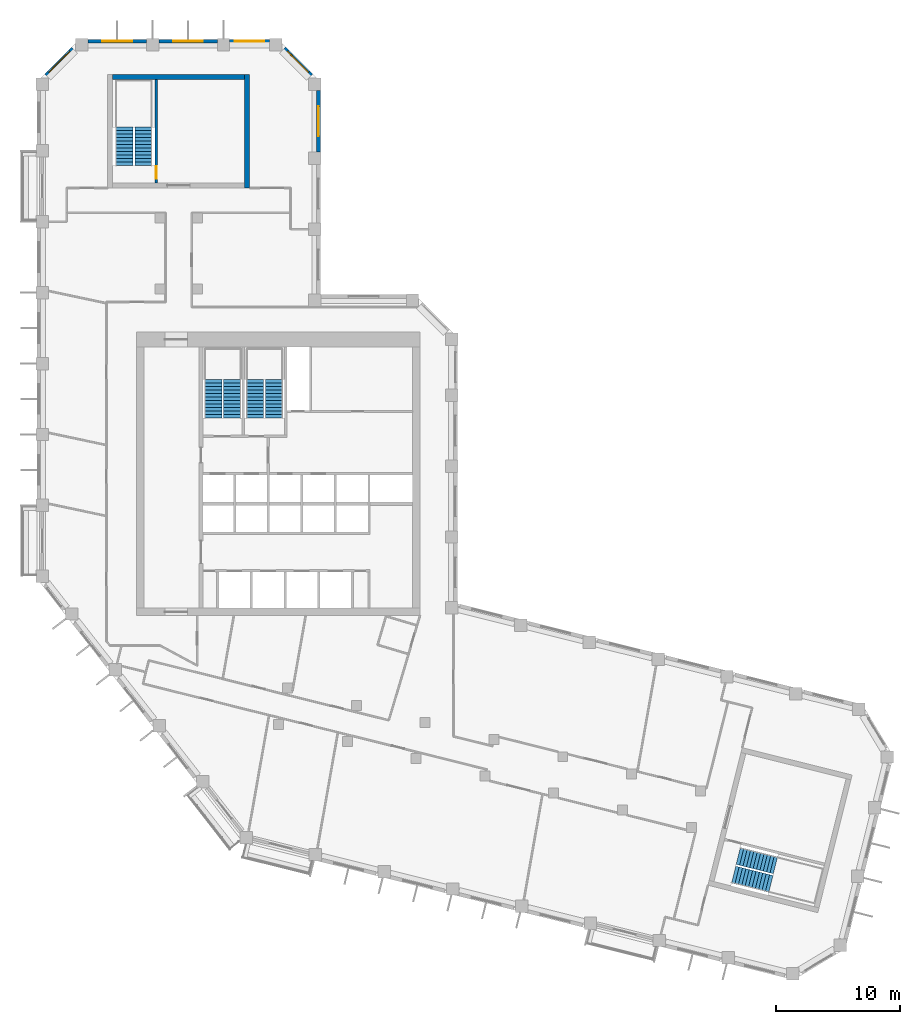
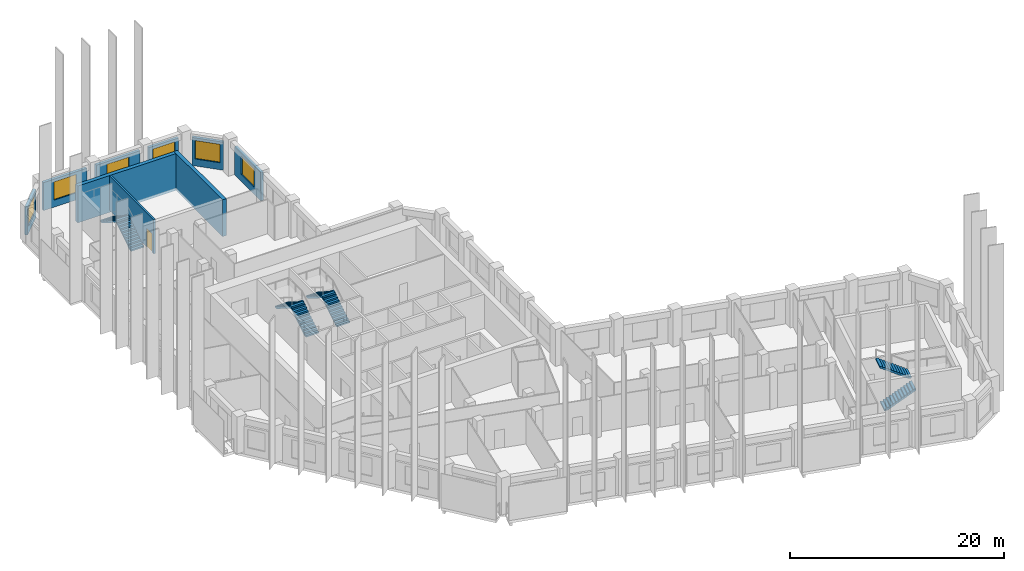
# One storey, part 8 of 9: 9 walls, 8 stair flights, 6 windows, 1 door, 7 openings, 4 elements without a shape of their own.
"""IFC4 building model written with IfcOpenShell, lengths in metres."""

from ifc_helpers import new_model, si_unit, direction, frame, frame_2d, origin, place, context, subcontext, project, spatial, polyline, rectangle, outline, extrude, material, layer, layer_set, type_object, element, fill, aggregate, save


model = new_model("IFC4")

# Units and contexts
model_context = context("Model", 3, precision=1e-05, world=origin(), true_north=direction((0.0, 1.0)))
body_context = subcontext(model_context, "Body", "Model", "MODEL_VIEW")
ifc_project = project(units=[si_unit("LENGTHUNIT", "METRE"), si_unit("AREAUNIT", "SQUARE_METRE"), si_unit("VOLUMEUNIT", "CUBIC_METRE"), si_unit("PLANEANGLEUNIT", "RADIAN"), si_unit("MASSUNIT", "GRAM", prefix="KILO")], contexts=[model_context])

# Site, building, storey
site_placement = place(None, origin())
site = spatial("IfcSite", under=ifc_project, at=site_placement, CompositionType="ELEMENT")
building_placement = place(site_placement, origin())
building = spatial("IfcBuilding", under=site, at=building_placement, Name="Meshkara Civic Tower", CompositionType="ELEMENT")
storey_placement = place(building_placement, frame((0.0, 0.0, 289.800048828125)))
storey = spatial("IfcBuildingStorey", under=building, at=storey_placement, Name="L66", CompositionType="ELEMENT", Elevation=289.800048828125)

# Wall, opening, window
ifc_material_1 = material(Name="Insulated infill panel with bronze anodised aluminium cladding", Category="aluminium")
ifc_layer_1 = layer(ifc_material_1, 0.300048828125)
ifc_layer_set_1 = layer_set([ifc_layer_1], Name="EXTERNAL INFILL WALL 300")
wall_type_1 = type_object("IfcWallType", Name="EXTERNAL INFILL WALL 300", PredefinedType="SOLIDWALL", material=ifc_layer_set_1)
wall_1_placement = place(storey_placement, frame((22.64990234375, 51.35009765625, 0.0), z_axis=(0.0, 0.0, 1.0), x_axis=(0.0, 1.0, 0.0)))
wall_1 = element("IfcWall", 1, at=wall_1_placement, inside=storey, type_object=wall_type_1, Name="External wall", PredefinedType="SOLIDWALL", context=body_context, shape_type="SweptSolid", body=[
    extrude(rectangle(XDim=4.9638671875, YDim=0.300048828125, at=frame_2d((2.48193359375, 0.0))), origin(), (0.0, 0.0, 1.0), 3.199951171875),
])
opening_1_placement = place(wall_1_placement, frame((1.281982421875, 0.0, 0.800048828125)))
opening_1 = element("IfcOpeningElement", 2, at=opening_1_placement, cuts=wall_1, Name="Opening W7", PredefinedType="OPENING", context=body_context, shape_type="SweptSolid", body=[
    extrude(rectangle(XDim=2.39990234375, YDim=2.10009765625, at=frame_2d((1.199951171875, 1.050048828125))), frame((0.0, 0.159912109375, 0.0), z_axis=(0.0, -1.0, 0.0), x_axis=(1.0, 0.0, 0.0)), (0.0, 0.0, 1.0), 0.320068359375),
])
ifc_material_2 = material(Name="Tinted double glazing", Category="glass")
window_type = type_object("IfcWindowType", Name="WINDOW 2400x2100", PartitioningType="DOUBLE_PANEL_VERTICAL", PredefinedType="WINDOW", material=ifc_material_2)
window_1_placement = place(opening_1_placement, origin())
window_1 = element("IfcWindow", 3, at=window_1_placement, inside=storey, type_object=window_type, Name="Window", OverallHeight=2.10009765625, OverallWidth=2.39990234375, PartitioningType="DOUBLE_PANEL_VERTICAL", PredefinedType="WINDOW", context=body_context, shape_type="SweptSolid", body=[
    extrude(rectangle(XDim=2.39990234375, YDim=2.10009765625, at=frame_2d((1.199951171875, 1.050048828125))), frame((0.0, 0.030029296875, 0.0), z_axis=(0.0, -1.0, 0.0), x_axis=(1.0, 0.0, 0.0)), (0.0, 0.0, 1.0), 0.06005859375),
])
fill(opening_1, window_1)

wall_2_placement = place(storey_placement, frame((22.06201171875, 57.52587890625, 0.0), z_axis=(0.0, 0.0, 1.0), x_axis=(-0.707106781187, 0.707106781187, 0.0)))
wall_2 = element("IfcWall", 4, at=wall_2_placement, inside=storey, type_object=wall_type_1, Name="External wall", PredefinedType="SOLIDWALL", context=body_context, shape_type="SweptSolid", body=[
    extrude(rectangle(XDim=3.049072265625, YDim=0.300048828125, at=frame_2d((1.5244140625, 0.0))), origin(), (0.0, 0.0, 1.0), 3.199951171875),
])
opening_2_placement = place(wall_2_placement, frame((0.324951171875, 0.0, 0.800048828125)))
opening_2 = element("IfcOpeningElement", 5, at=opening_2_placement, cuts=wall_2, Name="Opening W7", PredefinedType="OPENING", context=body_context, shape_type="SweptSolid", body=[
    extrude(rectangle(XDim=2.39990234375, YDim=2.10009765625, at=frame_2d((1.199951171875, 1.050048828125))), frame((0.0, 0.159912109375, 0.0), z_axis=(0.0, -1.0, 0.0), x_axis=(1.0, 0.0, 0.0)), (0.0, 0.0, 1.0), 0.320068359375),
])
window_2_placement = place(opening_2_placement, origin())
window_2 = element("IfcWindow", 6, at=window_2_placement, inside=storey, type_object=window_type, Name="Window", OverallHeight=2.10009765625, OverallWidth=2.39990234375, PartitioningType="DOUBLE_PANEL_VERTICAL", PredefinedType="WINDOW", context=body_context, shape_type="SweptSolid", body=[
    extrude(rectangle(XDim=2.39990234375, YDim=2.10009765625, at=frame_2d((1.199951171875, 1.050048828125))), frame((0.0, 0.030029296875, 0.0), z_axis=(0.0, -1.0, 0.0), x_axis=(1.0, 0.0, 0.0)), (0.0, 0.0, 1.0), 0.06005859375),
])
fill(opening_2, window_2)

wall_3_placement = place(storey_placement, frame((18.694091796875, 60.27001953125, 0.0), z_axis=(0.0, 0.0, 1.0), x_axis=(-1.0, 0.0, 0.0)))
wall_3 = element("IfcWall", 7, at=wall_3_placement, inside=storey, type_object=wall_type_1, Name="External wall", PredefinedType="SOLIDWALL", context=body_context, shape_type="SweptSolid", body=[
    extrude(rectangle(XDim=3.18798828125, YDim=0.300048828125, at=frame_2d((1.593994140625, 0.0))), origin(), (0.0, 0.0, 1.0), 3.199951171875),
])
opening_3_placement = place(wall_3_placement, frame((0.39404296875, 0.0, 0.800048828125)))
opening_3 = element("IfcOpeningElement", 8, at=opening_3_placement, cuts=wall_3, Name="Opening W7", PredefinedType="OPENING", context=body_context, shape_type="SweptSolid", body=[
    extrude(rectangle(XDim=2.39990234375, YDim=2.10009765625, at=frame_2d((1.199951171875, 1.050048828125))), frame((0.0, 0.159912109375, 0.0), z_axis=(0.0, -1.0, 0.0), x_axis=(1.0, 0.0, 0.0)), (0.0, 0.0, 1.0), 0.320068359375),
])
window_3_placement = place(opening_3_placement, origin())
window_3 = element("IfcWindow", 9, at=window_3_placement, inside=storey, type_object=window_type, Name="Window", OverallHeight=2.10009765625, OverallWidth=2.39990234375, PartitioningType="DOUBLE_PANEL_VERTICAL", PredefinedType="WINDOW", context=body_context, shape_type="SweptSolid", body=[
    extrude(rectangle(XDim=2.39990234375, YDim=2.10009765625, at=frame_2d((1.199951171875, 1.050048828125))), frame((0.0, 0.030029296875, 0.0), z_axis=(0.0, -1.0, 0.0), x_axis=(1.0, 0.0, 0.0)), (0.0, 0.0, 1.0), 0.06005859375),
])
fill(opening_3, window_3)

wall_4_placement = place(storey_placement, frame((14.506103515625, 60.27001953125, 0.0), z_axis=(0.0, 0.0, 1.0), x_axis=(-1.0, 0.0, 0.0)))
wall_4 = element("IfcWall", 10, at=wall_4_placement, inside=storey, type_object=wall_type_1, Name="External wall", PredefinedType="SOLIDWALL", context=body_context, shape_type="SweptSolid", body=[
    extrude(rectangle(XDim=4.7001953125, YDim=0.300048828125, at=frame_2d((2.35009765625, 0.0))), origin(), (0.0, 0.0, 1.0), 3.199951171875),
])
opening_4_placement = place(wall_4_placement, frame((1.14990234375, 0.0, 0.800048828125)))
opening_4 = element("IfcOpeningElement", 11, at=opening_4_placement, cuts=wall_4, Name="Opening W7", PredefinedType="OPENING", context=body_context, shape_type="SweptSolid", body=[
    extrude(rectangle(XDim=2.39990234375, YDim=2.10009765625, at=frame_2d((1.199951171875, 1.050048828125))), frame((0.0, 0.159912109375, 0.0), z_axis=(0.0, -1.0, 0.0), x_axis=(1.0, 0.0, 0.0)), (0.0, 0.0, 1.0), 0.320068359375),
])
window_4_placement = place(opening_4_placement, origin())
window_4 = element("IfcWindow", 12, at=window_4_placement, inside=storey, type_object=window_type, Name="Window", OverallHeight=2.10009765625, OverallWidth=2.39990234375, PartitioningType="DOUBLE_PANEL_VERTICAL", PredefinedType="WINDOW", context=body_context, shape_type="SweptSolid", body=[
    extrude(rectangle(XDim=2.39990234375, YDim=2.10009765625, at=frame_2d((1.199951171875, 1.050048828125))), frame((0.0, 0.030029296875, 0.0), z_axis=(0.0, -1.0, 0.0), x_axis=(1.0, 0.0, 0.0)), (0.0, 0.0, 1.0), 0.06005859375),
])
fill(opening_4, window_4)

wall_5_placement = place(storey_placement, frame((8.805908203125, 60.27001953125, 0.0), z_axis=(0.0, 0.0, 1.0), x_axis=(-1.0, 0.0, 0.0)))
wall_5 = element("IfcWall", 13, at=wall_5_placement, inside=storey, type_object=wall_type_1, Name="External wall", PredefinedType="SOLIDWALL", context=body_context, shape_type="SweptSolid", body=[
    extrude(rectangle(XDim=4.699951171875, YDim=0.300048828125, at=frame_2d((2.35009765625, 0.0))), origin(), (0.0, 0.0, 1.0), 3.199951171875),
])
opening_5_placement = place(wall_5_placement, frame((1.14990234375, 0.0, 0.800048828125)))
opening_5 = element("IfcOpeningElement", 14, at=opening_5_placement, cuts=wall_5, Name="Opening W7", PredefinedType="OPENING", context=body_context, shape_type="SweptSolid", body=[
    extrude(rectangle(XDim=2.39990234375, YDim=2.10009765625, at=frame_2d((1.199951171875, 1.050048828125))), frame((0.0, 0.159912109375, 0.0), z_axis=(0.0, -1.0, 0.0), x_axis=(1.0, 0.0, 0.0)), (0.0, 0.0, 1.0), 0.320068359375),
])
window_5_placement = place(opening_5_placement, origin())
window_5 = element("IfcWindow", 15, at=window_5_placement, inside=storey, type_object=window_type, Name="Window", OverallHeight=2.10009765625, OverallWidth=2.39990234375, PartitioningType="DOUBLE_PANEL_VERTICAL", PredefinedType="WINDOW", context=body_context, shape_type="SweptSolid", body=[
    extrude(rectangle(XDim=2.39990234375, YDim=2.10009765625, at=frame_2d((1.199951171875, 1.050048828125))), frame((0.0, 0.030029296875, 0.0), z_axis=(0.0, -1.0, 0.0), x_axis=(1.0, 0.0, 0.0)), (0.0, 0.0, 1.0), 0.06005859375),
])
fill(opening_5, window_5)

wall_6_placement = place(storey_placement, frame((2.89404296875, 59.681884765625, 0.0), z_axis=(0.0, 0.0, 1.0), x_axis=(-0.707106781187, -0.707106781187, 0.0)))
wall_6 = element("IfcWall", 16, at=wall_6_placement, inside=storey, type_object=wall_type_1, Name="External wall", PredefinedType="SOLIDWALL", context=body_context, shape_type="SweptSolid", body=[
    extrude(rectangle(XDim=3.049072265625, YDim=0.300048828125, at=frame_2d((1.5244140625, 0.0))), origin(), (0.0, 0.0, 1.0), 3.199951171875),
])
opening_6_placement = place(wall_6_placement, frame((0.324951171875, 0.0, 0.800048828125)))
opening_6 = element("IfcOpeningElement", 17, at=opening_6_placement, cuts=wall_6, Name="Opening W7", PredefinedType="OPENING", context=body_context, shape_type="SweptSolid", body=[
    extrude(rectangle(XDim=2.39990234375, YDim=2.10009765625, at=frame_2d((1.199951171875, 1.050048828125))), frame((0.0, 0.159912109375, 0.0), z_axis=(0.0, -1.0, 0.0), x_axis=(1.0, 0.0, 0.0)), (0.0, 0.0, 1.0), 0.320068359375),
])
window_6_placement = place(opening_6_placement, origin())
window_6 = element("IfcWindow", 18, at=window_6_placement, inside=storey, type_object=window_type, Name="Window", OverallHeight=2.10009765625, OverallWidth=2.39990234375, PartitioningType="DOUBLE_PANEL_VERTICAL", PredefinedType="WINDOW", context=body_context, shape_type="SweptSolid", body=[
    extrude(rectangle(XDim=2.39990234375, YDim=2.10009765625, at=frame_2d((1.199951171875, 1.050048828125))), frame((0.0, 0.030029296875, 0.0), z_axis=(0.0, -1.0, 0.0), x_axis=(1.0, 0.0, 0.0)), (0.0, 0.0, 1.0), 0.06005859375),
])
fill(opening_6, window_6)

# Walls
ifc_material_3 = material(Name="Concrete C60", Category="concrete")
ifc_layer_2 = layer(ifc_material_3, 0.39990234375)
ifc_layer_set_2 = layer_set([ifc_layer_2], Name="End core ring wall 400 C60")
wall_type_2 = type_object("IfcWallType", Name="End core ring wall 400 C60", PredefinedType="SHEAR", material=ifc_layer_set_2)
wall_7_placement = place(storey_placement, frame((16.89990234375, 48.469970703125, -0.300048828125), z_axis=(0.0, 0.0, 1.0), x_axis=(0.0, 1.0, 0.0)))
element("IfcWall", 19, at=wall_7_placement, inside=storey, type_object=wall_type_2, Name="L66-C027", PredefinedType="SHEAR", context=body_context, shape_type="SweptSolid", body=[
    extrude(rectangle(XDim=9.10009765625, YDim=0.39990234375, at=frame_2d((4.550048828125, 0.0))), origin(), (0.0, 0.0, 1.0), 4.199951171875),
])
wall_8_placement = place(storey_placement, frame((6.10009765625, 57.3701171875, -0.300048828125), z_axis=(0.0, 0.0, 1.0), x_axis=(1.0, 0.0, 0.0)))
element("IfcWall", 20, at=wall_8_placement, inside=storey, type_object=wall_type_2, Name="L66-C029", PredefinedType="SHEAR", context=body_context, shape_type="SweptSolid", body=[
    extrude(rectangle(XDim=10.599853515625, YDim=0.39990234375, at=frame_2d((5.2998046875, 0.0))), origin(), (0.0, 0.0, 1.0), 4.199951171875),
])

# Wall, opening, door
ifc_material_4 = material(Name="Concrete C40/50", Category="concrete")
ifc_layer_3 = layer(ifc_material_4, 0.199951171875)
ifc_layer_set_3 = layer_set([ifc_layer_3], Name="Stair enclosure wall 200 C40/50")
wall_type_3 = type_object("IfcWallType", Name="Stair enclosure wall 200 C40/50", PredefinedType="SOLIDWALL", material=ifc_layer_set_3)
wall_9_placement = place(storey_placement, frame((9.60009765625, 48.8701171875, 0.0), z_axis=(0.0, 0.0, 1.0), x_axis=(0.0, 1.0, 0.0)))
wall_9 = element("IfcWall", 21, at=wall_9_placement, inside=storey, type_object=wall_type_3, Name="L66-C030", PredefinedType="SOLIDWALL", context=body_context, shape_type="SweptSolid", body=[
    extrude(rectangle(XDim=8.2998046875, YDim=0.199951171875, at=frame_2d((4.14990234375, 0.0))), origin(), (0.0, 0.0, 1.0), 3.89990234375),
])
opening_7_placement = place(wall_9_placement, frame((0.35009765625, 0.0, 0.0)))
opening_7 = element("IfcOpeningElement", 22, at=opening_7_placement, cuts=wall_9, Name="Opening L66-K101", PredefinedType="OPENING", context=body_context, shape_type="SweptSolid", body=[
    extrude(rectangle(XDim=1.0, YDim=2.10009765625, at=frame_2d((0.5, 1.050048828125))), frame((0.0, 0.10986328125, 0.0), z_axis=(0.0, -1.0, 0.0), x_axis=(1.0, 0.0, 0.0)), (0.0, 0.0, 1.0), 0.219970703125),
])
ifc_material_5 = material(Name="Fire-rated door leaf in steel frame", Category="steel")
door_type = type_object("IfcDoorType", Name="Stair door 1000 EI 120", OperationType="SINGLE_SWING_LEFT", PredefinedType="DOOR", material=ifc_material_5)
door_placement = place(opening_7_placement, origin())
door = element("IfcDoor", 23, at=door_placement, inside=storey, type_object=door_type, Name="L66-K101", OperationType="SINGLE_SWING_RIGHT", OverallHeight=2.10009765625, OverallWidth=1.0, PredefinedType="DOOR", context=body_context, shape_type="SweptSolid", body=[
    extrude(rectangle(XDim=1.0, YDim=2.10009765625, at=frame_2d((0.5, 1.050048828125))), frame((0.0, 0.02490234375, 0.0), z_axis=(0.0, -1.0, 0.0), x_axis=(1.0, 0.0, 0.0)), (0.0, 0.0, 1.0), 0.050048828125),
])
fill(opening_7, door)

# Stair, stair flights
ifc_material_6 = material(Name="Precast concrete C40/50", Category="concrete")
stair_type = type_object("IfcStairType", Name="Exit stair half-turn 24 risers precast", PredefinedType="HALF_TURN_STAIR", material=ifc_material_6)
stair_1_placement = place(storey_placement, origin())
stair_1 = element("IfcStair", 24, at=stair_1_placement, inside=storey, type_object=stair_type, Name="L66 exit stair 1", PredefinedType="HALF_TURN_STAIR")
ifc_material_7 = material(Name="Precast concrete C40/50", Category="concrete")
stair_flight_type = type_object("IfcStairFlightType", Name="Exit stair flight 12 risers precast", PredefinedType="STRAIGHT", material=ifc_material_7)
stair_flight_1_placement = place(storey_placement, frame((15.72509765625, 30.0, 0.0), z_axis=(0.0, 0.0, 1.0), x_axis=(0.0, 1.0, 0.0)))
stair_flight_1 = element("IfcStairFlight", 25, at=stair_flight_1_placement, type_object=stair_flight_type, Name="ST1 flight 1", NumberOfRisers=12, NumberOfTreads=11, PredefinedType="STRAIGHT", RiserHeight=0.175, TreadLength=0.28, context=body_context, shape_type="SweptSolid", body=[
    extrude(outline(polyline([(0.0, 0.0), (0.0, 0.175048828125), (0.280029296875, 0.175048828125), (0.280029296875, 0.35009765625), (0.56005859375, 0.35009765625), (0.56005859375, 0.52490234375), (0.840087890625, 0.52490234375), (0.840087890625, 0.699951171875), (1.1201171875, 0.699951171875), (1.1201171875, 0.875), (1.39990234375, 0.875), (1.39990234375, 1.050048828125), (1.679931640625, 1.050048828125), (1.679931640625, 1.22509765625), (1.9599609375, 1.22509765625), (1.9599609375, 1.39990234375), (2.239990234375, 1.39990234375), (2.239990234375, 1.574951171875), (2.52001953125, 1.574951171875), (2.52001953125, 1.75), (2.800048828125, 1.75), (2.800048828125, 1.925048828125), (3.080078125, 1.925048828125), (3.080078125, 2.10009765625), (3.080078125, 1.748291015625), (0.28271484375, 0.0), (0.0, 0.0)])), frame((0.0, 0.699951171875, 0.0), z_axis=(0.0, -1.0, 0.0), x_axis=(1.0, 0.0, 0.0)), (0.0, 0.0, 1.0), 1.39990234375),
])
stair_flight_2_placement = place(storey_placement, frame((14.175048828125, 33.080078125, 2.099853515625), z_axis=(0.0, 0.0, 1.0), x_axis=(0.0, -1.0, 0.0)))
stair_flight_2 = element("IfcStairFlight", 26, at=stair_flight_2_placement, type_object=stair_flight_type, Name="ST1 flight 2", NumberOfRisers=12, NumberOfTreads=11, PredefinedType="STRAIGHT", RiserHeight=0.175, TreadLength=0.28, context=body_context, shape_type="SweptSolid", body=[
    extrude(outline(polyline([(0.0, 0.0), (0.0, 0.175048828125), (0.280029296875, 0.175048828125), (0.280029296875, 0.35009765625), (0.56005859375, 0.35009765625), (0.56005859375, 0.52490234375), (0.840087890625, 0.52490234375), (0.840087890625, 0.699951171875), (1.1201171875, 0.699951171875), (1.1201171875, 0.875), (1.39990234375, 0.875), (1.39990234375, 1.050048828125), (1.679931640625, 1.050048828125), (1.679931640625, 1.22509765625), (1.9599609375, 1.22509765625), (1.9599609375, 1.39990234375), (2.239990234375, 1.39990234375), (2.239990234375, 1.574951171875), (2.52001953125, 1.574951171875), (2.52001953125, 1.75), (2.800048828125, 1.75), (2.800048828125, 1.925048828125), (3.080078125, 1.925048828125), (3.080078125, 2.10009765625), (3.080078125, 1.748291015625), (0.28271484375, 0.0), (0.0, 0.0)])), frame((0.0, 0.699951171875, 0.0), z_axis=(0.0, -1.0, 0.0), x_axis=(1.0, 0.0, 0.0)), (0.0, 0.0, 1.0), 1.39990234375),
])
aggregate(stair_1, [stair_flight_1, stair_flight_2])

stair_2_placement = place(storey_placement, origin())
stair_2 = element("IfcStair", 27, at=stair_2_placement, inside=storey, type_object=stair_type, Name="L66 exit stair 2", PredefinedType="HALF_TURN_STAIR")
stair_flight_3_placement = place(storey_placement, frame((19.074951171875, 30.0, 0.0), z_axis=(0.0, 0.0, 1.0), x_axis=(0.0, 1.0, 0.0)))
stair_flight_3 = element("IfcStairFlight", 28, at=stair_flight_3_placement, type_object=stair_flight_type, Name="ST2 flight 1", NumberOfRisers=12, NumberOfTreads=11, PredefinedType="STRAIGHT", RiserHeight=0.175, TreadLength=0.28, context=body_context, shape_type="SweptSolid", body=[
    extrude(outline(polyline([(0.0, 0.0), (0.0, 0.175048828125), (0.280029296875, 0.175048828125), (0.280029296875, 0.35009765625), (0.56005859375, 0.35009765625), (0.56005859375, 0.52490234375), (0.840087890625, 0.52490234375), (0.840087890625, 0.699951171875), (1.1201171875, 0.699951171875), (1.1201171875, 0.875), (1.39990234375, 0.875), (1.39990234375, 1.050048828125), (1.679931640625, 1.050048828125), (1.679931640625, 1.22509765625), (1.9599609375, 1.22509765625), (1.9599609375, 1.39990234375), (2.239990234375, 1.39990234375), (2.239990234375, 1.574951171875), (2.52001953125, 1.574951171875), (2.52001953125, 1.75), (2.800048828125, 1.75), (2.800048828125, 1.925048828125), (3.080078125, 1.925048828125), (3.080078125, 2.10009765625), (3.080078125, 1.748291015625), (0.28271484375, 0.0), (0.0, 0.0)])), frame((0.0, 0.699951171875, 0.0), z_axis=(0.0, -1.0, 0.0), x_axis=(1.0, 0.0, 0.0)), (0.0, 0.0, 1.0), 1.39990234375),
])
stair_flight_4_placement = place(storey_placement, frame((17.52490234375, 33.080078125, 2.099853515625), z_axis=(0.0, 0.0, 1.0), x_axis=(0.0, -1.0, 0.0)))
stair_flight_4 = element("IfcStairFlight", 29, at=stair_flight_4_placement, type_object=stair_flight_type, Name="ST2 flight 2", NumberOfRisers=12, NumberOfTreads=11, PredefinedType="STRAIGHT", RiserHeight=0.175, TreadLength=0.28, context=body_context, shape_type="SweptSolid", body=[
    extrude(outline(polyline([(0.0, 0.0), (0.0, 0.175048828125), (0.280029296875, 0.175048828125), (0.280029296875, 0.35009765625), (0.56005859375, 0.35009765625), (0.56005859375, 0.52490234375), (0.840087890625, 0.52490234375), (0.840087890625, 0.699951171875), (1.1201171875, 0.699951171875), (1.1201171875, 0.875), (1.39990234375, 0.875), (1.39990234375, 1.050048828125), (1.679931640625, 1.050048828125), (1.679931640625, 1.22509765625), (1.9599609375, 1.22509765625), (1.9599609375, 1.39990234375), (2.239990234375, 1.39990234375), (2.239990234375, 1.574951171875), (2.52001953125, 1.574951171875), (2.52001953125, 1.75), (2.800048828125, 1.75), (2.800048828125, 1.925048828125), (3.080078125, 1.925048828125), (3.080078125, 2.10009765625), (3.080078125, 1.748291015625), (0.28271484375, 0.0), (0.0, 0.0)])), frame((0.0, 0.699951171875, 0.0), z_axis=(0.0, -1.0, 0.0), x_axis=(1.0, 0.0, 0.0)), (0.0, 0.0, 1.0), 1.39990234375),
])
aggregate(stair_2, [stair_flight_3, stair_flight_4])

stair_3_placement = place(storey_placement, origin())
stair_3 = element("IfcStair", 30, at=stair_3_placement, inside=storey, type_object=stair_type, Name="L66 exit stair A from L65", PredefinedType="HALF_TURN_STAIR")
stair_flight_5_placement = place(storey_placement, frame((8.574951171875, 50.27001953125, 0.0), z_axis=(0.0, 0.0, 1.0), x_axis=(0.0, 1.0, 0.0)))
stair_flight_5 = element("IfcStairFlight", 31, at=stair_flight_5_placement, type_object=stair_flight_type, Name="ESA5 flight 1", NumberOfRisers=12, NumberOfTreads=11, PredefinedType="STRAIGHT", RiserHeight=0.175, TreadLength=0.28, context=body_context, shape_type="SweptSolid", body=[
    extrude(outline(polyline([(0.0, 0.0), (0.0, 0.175048828125), (0.280029296875, 0.175048828125), (0.280029296875, 0.35009765625), (0.56005859375, 0.35009765625), (0.56005859375, 0.52490234375), (0.840087890625, 0.52490234375), (0.840087890625, 0.699951171875), (1.1201171875, 0.699951171875), (1.1201171875, 0.875), (1.39990234375, 0.875), (1.39990234375, 1.050048828125), (1.679931640625, 1.050048828125), (1.679931640625, 1.22509765625), (1.9599609375, 1.22509765625), (1.9599609375, 1.39990234375), (2.239990234375, 1.39990234375), (2.239990234375, 1.574951171875), (2.52001953125, 1.574951171875), (2.52001953125, 1.75), (2.800048828125, 1.75), (2.800048828125, 1.925048828125), (3.080078125, 1.925048828125), (3.080078125, 2.10009765625), (3.080078125, 1.748291015625), (0.28271484375, 0.0), (0.0, 0.0)])), frame((0.0, 0.699951171875, 0.0), z_axis=(0.0, -1.0, 0.0), x_axis=(1.0, 0.0, 0.0)), (0.0, 0.0, 1.0), 1.39990234375),
])
stair_flight_6_placement = place(storey_placement, frame((7.02490234375, 53.35009765625, 2.099853515625), z_axis=(0.0, 0.0, 1.0), x_axis=(0.0, -1.0, 0.0)))
stair_flight_6 = element("IfcStairFlight", 32, at=stair_flight_6_placement, type_object=stair_flight_type, Name="ESA5 flight 2", NumberOfRisers=12, NumberOfTreads=11, PredefinedType="STRAIGHT", RiserHeight=0.175, TreadLength=0.28, context=body_context, shape_type="SweptSolid", body=[
    extrude(outline(polyline([(0.0, 0.0), (0.0, 0.175048828125), (0.280029296875, 0.175048828125), (0.280029296875, 0.35009765625), (0.56005859375, 0.35009765625), (0.56005859375, 0.52490234375), (0.840087890625, 0.52490234375), (0.840087890625, 0.699951171875), (1.1201171875, 0.699951171875), (1.1201171875, 0.875), (1.39990234375, 0.875), (1.39990234375, 1.050048828125), (1.679931640625, 1.050048828125), (1.679931640625, 1.22509765625), (1.9599609375, 1.22509765625), (1.9599609375, 1.39990234375), (2.239990234375, 1.39990234375), (2.239990234375, 1.574951171875), (2.52001953125, 1.574951171875), (2.52001953125, 1.75), (2.800048828125, 1.75), (2.800048828125, 1.925048828125), (3.080078125, 1.925048828125), (3.080078125, 2.10009765625), (3.080078125, 1.748291015625), (0.28271484375, 0.0), (0.0, 0.0)])), frame((0.0, 0.699951171875, 0.0), z_axis=(0.0, -1.0, 0.0), x_axis=(1.0, 0.0, 0.0)), (0.0, 0.0, 1.0), 1.39990234375),
])
aggregate(stair_3, [stair_flight_5, stair_flight_6])

stair_4_placement = place(storey_placement, origin())
stair_4 = element("IfcStair", 33, at=stair_4_placement, inside=storey, type_object=stair_type, Name="L66 exit stair B from L65", PredefinedType="HALF_TURN_STAIR")
stair_flight_7_placement = place(storey_placement, frame((56.0068359375, -6.723876953125, 0.0), z_axis=(0.0, 0.0, 1.0), x_axis=(0.970260066579, -0.242064873955, 0.0)))
stair_flight_7 = element("IfcStairFlight", 34, at=stair_flight_7_placement, type_object=stair_flight_type, Name="ESB5 flight 1", NumberOfRisers=12, NumberOfTreads=11, PredefinedType="STRAIGHT", RiserHeight=0.175, TreadLength=0.28, context=body_context, shape_type="SweptSolid", body=[
    extrude(outline(polyline([(0.0, 0.0), (0.0, 0.175048828125), (0.280029296875, 0.175048828125), (0.280029296875, 0.35009765625), (0.56005859375, 0.35009765625), (0.56005859375, 0.52490234375), (0.840087890625, 0.52490234375), (0.840087890625, 0.699951171875), (1.1201171875, 0.699951171875), (1.1201171875, 0.875), (1.39990234375, 0.875), (1.39990234375, 1.050048828125), (1.679931640625, 1.050048828125), (1.679931640625, 1.22509765625), (1.9599609375, 1.22509765625), (1.9599609375, 1.39990234375), (2.239990234375, 1.39990234375), (2.239990234375, 1.574951171875), (2.52001953125, 1.574951171875), (2.52001953125, 1.75), (2.800048828125, 1.75), (2.800048828125, 1.925048828125), (3.080078125, 1.925048828125), (3.080078125, 2.10009765625), (3.080078125, 1.748291015625), (0.28271484375, 0.0), (0.0, 0.0)])), frame((0.0, 0.699951171875, 0.0), z_axis=(0.0, -1.0, 0.0), x_axis=(1.0, 0.0, 0.0)), (0.0, 0.0, 1.0), 1.39990234375),
])
stair_flight_8_placement = place(storey_placement, frame((59.370361328125, -5.965576171875, 2.099853515625), z_axis=(0.0, 0.0, 1.0), x_axis=(-0.970260066579, 0.242064873955, 0.0)))
stair_flight_8 = element("IfcStairFlight", 35, at=stair_flight_8_placement, type_object=stair_flight_type, Name="ESB5 flight 2", NumberOfRisers=12, NumberOfTreads=11, PredefinedType="STRAIGHT", RiserHeight=0.175, TreadLength=0.28, context=body_context, shape_type="SweptSolid", body=[
    extrude(outline(polyline([(0.0, 0.0), (0.0, 0.175048828125), (0.280029296875, 0.175048828125), (0.280029296875, 0.35009765625), (0.56005859375, 0.35009765625), (0.56005859375, 0.52490234375), (0.840087890625, 0.52490234375), (0.840087890625, 0.699951171875), (1.1201171875, 0.699951171875), (1.1201171875, 0.875), (1.39990234375, 0.875), (1.39990234375, 1.050048828125), (1.679931640625, 1.050048828125), (1.679931640625, 1.22509765625), (1.9599609375, 1.22509765625), (1.9599609375, 1.39990234375), (2.239990234375, 1.39990234375), (2.239990234375, 1.574951171875), (2.52001953125, 1.574951171875), (2.52001953125, 1.75), (2.800048828125, 1.75), (2.800048828125, 1.925048828125), (3.080078125, 1.925048828125), (3.080078125, 2.10009765625), (3.080078125, 1.748291015625), (0.28271484375, 0.0), (0.0, 0.0)])), frame((0.0, 0.699951171875, 0.0), z_axis=(0.0, -1.0, 0.0), x_axis=(1.0, 0.0, 0.0)), (0.0, 0.0, 1.0), 1.39990234375),
])
aggregate(stair_4, [stair_flight_7, stair_flight_8])

save(model, "model.ifc")
